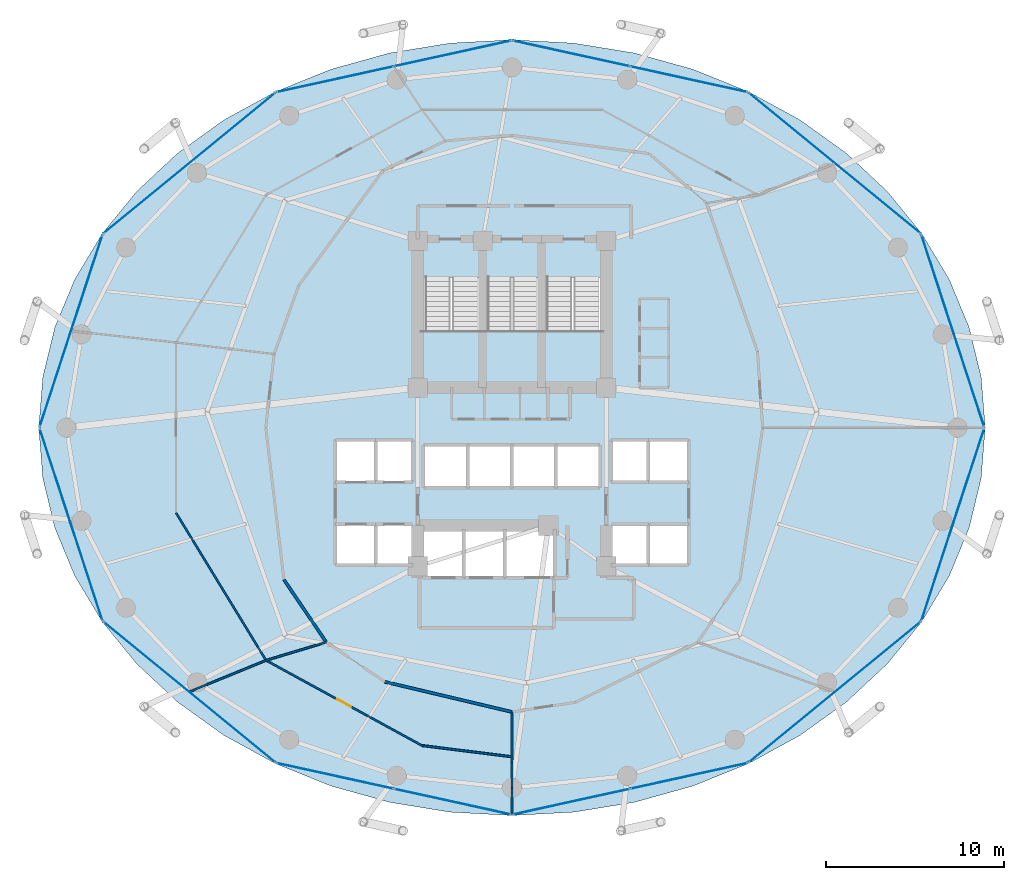
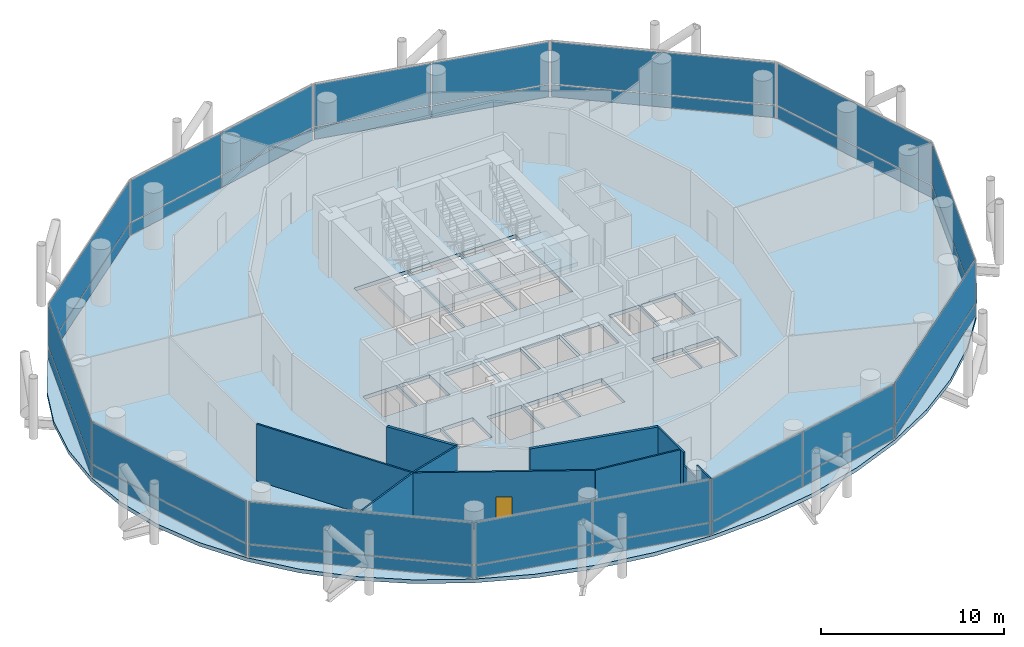
# One storey, part 20 of 25: 32 plates, 10 walls, 4 slabs, 1 door, 1 opening, 15 elements without a shape of their own.
"""IFC4 building model written with IfcOpenShell, lengths in metres."""

from ifc_helpers import new_model, si_unit, direction, frame, frame_2d, origin, origin_2d, place, context, subcontext, project, spatial, polyline, rectangle, outline, extrude, material, layer, layer_set, type_object, element, fill, aggregate, save


model = new_model("IFC4")

# Units and contexts
model_context = context("Model", 3, precision=1e-05, world=origin(), true_north=direction((0.0, 1.0)))
body_context = subcontext(model_context, "Body", "Model", "MODEL_VIEW")
ifc_project = project(units=[si_unit("LENGTHUNIT", "METRE"), si_unit("AREAUNIT", "SQUARE_METRE"), si_unit("VOLUMEUNIT", "CUBIC_METRE"), si_unit("PLANEANGLEUNIT", "RADIAN"), si_unit("MASSUNIT", "GRAM", prefix="KILO")], contexts=[model_context])

# Site, building, storey
site_placement = place(None, origin())
site = spatial("IfcSite", under=ifc_project, at=site_placement, CompositionType="ELEMENT")
building_placement = place(site_placement, origin())
building = spatial("IfcBuilding", under=site, at=building_placement, Name="Nuhasar Tower", CompositionType="ELEMENT")
storey_placement = place(building_placement, frame((0.0, 0.0, 65.550048828125)))
storey = spatial("IfcBuildingStorey", under=building, at=storey_placement, Name="L15", CompositionType="ELEMENT", Elevation=65.550048828125)

# Curtain wall, plate
ifc_material_1 = material(Name="Aluminium 6063-T6", Category="aluminium")
ifc_layer_1 = layer(ifc_material_1, 0.199951171875)
ifc_layer_set_1 = layer_set([ifc_layer_1], Name="Aluminium 6063-T6")
curtain_wall_type = type_object("IfcCurtainWallType", Name="CW-Z1-OFF", PredefinedType="NOTDEFINED", material=ifc_layer_set_1)
curtain_wall_1_placement = place(storey_placement, origin())
curtain_wall_1 = element("IfcCurtainWall", 1, at=curtain_wall_1_placement, inside=storey, type_object=curtain_wall_type, Name="L15 Unitised Curtain Wall 01", PredefinedType="NOTDEFINED")
ifc_material_2 = material(Name="Glass Double Low-E", Category="glass")
ifc_layer_2 = layer(ifc_material_2, 0.028076171875)
ifc_layer_set_2 = layer_set([ifc_layer_2], Name="Glass Double Low-E")
plate_type_1 = type_object("IfcPlateType", Name="CW-PANEL-GLZ", PredefinedType="CURTAIN_PANEL", material=ifc_layer_set_2)
plate_1_placement = place(storey_placement, frame((63.781005859375, 32.239990234375, 0.9326171875), z_axis=(0.0, 0.0, 1.0), x_axis=(-0.310823849997, 0.950467534571, 0.0)))
plate_1 = element("IfcPlate", 2, at=plate_1_placement, type_object=plate_type_1, Name="CW-Z1 panel 1.2", PredefinedType="CURTAIN_PANEL", context=body_context, shape_type="SweptSolid", body=[
    extrude(rectangle(XDim=11.31689453125, YDim=0.028076171875, at=origin_2d()), origin(), (0.0, 0.0, 1.0), 2.802490234375),
])

curtain_wall_2_placement = place(storey_placement, origin())
curtain_wall_2 = element("IfcCurtainWall", 3, at=curtain_wall_2_placement, inside=storey, type_object=curtain_wall_type, Name="L15 Unitised Curtain Wall 02", PredefinedType="NOTDEFINED")
plate_2_placement = place(storey_placement, frame((57.14111328125, 41.66259765625, 0.9326171875), z_axis=(0.0, 0.0, 1.0), x_axis=(-0.773542364946, 0.633744593376, 0.0)))
plate_2 = element("IfcPlate", 4, at=plate_2_placement, type_object=plate_type_1, Name="CW-Z1 panel 1.2", PredefinedType="CURTAIN_PANEL", context=body_context, shape_type="SweptSolid", body=[
    extrude(rectangle(XDim=12.438232421875, YDim=0.028076171875, at=origin_2d()), origin(), (0.0, 0.0, 1.0), 2.802490234375),
])

# Curtain wall, plates
curtain_wall_3_placement = place(storey_placement, origin())
curtain_wall_3 = element("IfcCurtainWall", 5, at=curtain_wall_3_placement, inside=storey, type_object=curtain_wall_type, Name="L15 Unitised Curtain Wall 03", PredefinedType="NOTDEFINED")
plate_3_placement = place(storey_placement, frame((48.944091796875, 46.377197265625, 0.9326171875), z_axis=(0.0, 0.0, 1.0), x_axis=(-0.976746221544, 0.214398737637, 0.0)))
plate_3 = element("IfcPlate", 6, at=plate_3_placement, type_object=plate_type_1, Name="CW-Z1 panel 1.2", PredefinedType="CURTAIN_PANEL", context=body_context, shape_type="SweptSolid", body=[
    extrude(rectangle(XDim=6.70068359375, YDim=0.028076171875, at=origin_2d()), origin(), (0.0, 0.0, 1.0), 2.802490234375),
])
plate_4_placement = place(storey_placement, frame((42.3359375, 47.827880859375, 0.9326171875), z_axis=(0.0, 0.0, 1.0), x_axis=(-0.976746221544, 0.214398737637, 0.0)))
plate_4 = element("IfcPlate", 7, at=plate_4_placement, type_object=plate_type_1, Name="CW-Z1 panel 2.2", PredefinedType="CURTAIN_PANEL", context=body_context, shape_type="SweptSolid", body=[
    extrude(rectangle(XDim=6.70068359375, YDim=0.028076171875, at=origin_2d()), origin(), (0.0, 0.0, 1.0), 2.802490234375),
])

curtain_wall_4_placement = place(storey_placement, origin())
curtain_wall_4 = element("IfcCurtainWall", 8, at=curtain_wall_4_placement, inside=storey, type_object=curtain_wall_type, Name="L15 Unitised Curtain Wall 04", PredefinedType="NOTDEFINED")
plate_5_placement = place(storey_placement, frame((35.6640625, 47.827880859375, 0.9326171875), z_axis=(0.0, 0.0, 1.0), x_axis=(-0.976746221544, -0.214398737637, 0.0)))
plate_5 = element("IfcPlate", 9, at=plate_5_placement, type_object=plate_type_1, Name="CW-Z1 panel 1.2", PredefinedType="CURTAIN_PANEL", context=body_context, shape_type="SweptSolid", body=[
    extrude(rectangle(XDim=6.70068359375, YDim=0.028076171875, at=origin_2d()), origin(), (0.0, 0.0, 1.0), 2.802490234375),
])
plate_6_placement = place(storey_placement, frame((29.055908203125, 46.377197265625, 0.9326171875), z_axis=(0.0, 0.0, 1.0), x_axis=(-0.976746221544, -0.214398737637, 0.0)))
plate_6 = element("IfcPlate", 10, at=plate_6_placement, type_object=plate_type_1, Name="CW-Z1 panel 2.2", PredefinedType="CURTAIN_PANEL", context=body_context, shape_type="SweptSolid", body=[
    extrude(rectangle(XDim=6.70068359375, YDim=0.028076171875, at=origin_2d()), origin(), (0.0, 0.0, 1.0), 2.802490234375),
])

# Curtain wall, plate
curtain_wall_5_placement = place(storey_placement, origin())
curtain_wall_5 = element("IfcCurtainWall", 11, at=curtain_wall_5_placement, inside=storey, type_object=curtain_wall_type, Name="L15 Unitised Curtain Wall 05", PredefinedType="NOTDEFINED")
plate_7_placement = place(storey_placement, frame((20.85888671875, 41.66259765625, 0.9326171875), z_axis=(0.0, 0.0, 1.0), x_axis=(-0.773542364946, -0.633744593376, 0.0)))
plate_7 = element("IfcPlate", 12, at=plate_7_placement, type_object=plate_type_1, Name="CW-Z1 panel 1.2", PredefinedType="CURTAIN_PANEL", context=body_context, shape_type="SweptSolid", body=[
    extrude(rectangle(XDim=12.438232421875, YDim=0.028076171875, at=origin_2d()), origin(), (0.0, 0.0, 1.0), 2.802490234375),
])

curtain_wall_6_placement = place(storey_placement, origin())
curtain_wall_6 = element("IfcCurtainWall", 13, at=curtain_wall_6_placement, inside=storey, type_object=curtain_wall_type, Name="L15 Unitised Curtain Wall 06", PredefinedType="NOTDEFINED")
plate_8_placement = place(storey_placement, frame((14.218994140625, 32.239990234375, 0.9326171875), z_axis=(0.0, 0.0, 1.0), x_axis=(-0.310823849997, -0.950467534571, 0.0)))
plate_8 = element("IfcPlate", 14, at=plate_8_placement, type_object=plate_type_1, Name="CW-Z1 panel 1.2", PredefinedType="CURTAIN_PANEL", context=body_context, shape_type="SweptSolid", body=[
    extrude(rectangle(XDim=11.31689453125, YDim=0.028076171875, at=origin_2d()), origin(), (0.0, 0.0, 1.0), 2.802490234375),
])

curtain_wall_7_placement = place(storey_placement, origin())
curtain_wall_7 = element("IfcCurtainWall", 15, at=curtain_wall_7_placement, inside=storey, type_object=curtain_wall_type, Name="L15 Unitised Curtain Wall 07", PredefinedType="NOTDEFINED")
plate_9_placement = place(storey_placement, frame((14.218994140625, 21.360107421875, 0.9326171875), z_axis=(0.0, 0.0, 1.0), x_axis=(0.310823849997, -0.950467534571, 0.0)))
plate_9 = element("IfcPlate", 16, at=plate_9_placement, type_object=plate_type_1, Name="CW-Z1 panel 1.2", PredefinedType="CURTAIN_PANEL", context=body_context, shape_type="SweptSolid", body=[
    extrude(rectangle(XDim=11.31689453125, YDim=0.028076171875, at=origin_2d()), origin(), (0.0, 0.0, 1.0), 2.802490234375),
])

curtain_wall_8_placement = place(storey_placement, origin())
curtain_wall_8 = element("IfcCurtainWall", 17, at=curtain_wall_8_placement, inside=storey, type_object=curtain_wall_type, Name="L15 Unitised Curtain Wall 08", PredefinedType="NOTDEFINED")
plate_10_placement = place(storey_placement, frame((20.85888671875, 11.9375, 0.9326171875), z_axis=(0.0, 0.0, 1.0), x_axis=(0.773542364946, -0.633744593376, 0.0)))
plate_10 = element("IfcPlate", 18, at=plate_10_placement, type_object=plate_type_1, Name="CW-Z1 panel 1.2", PredefinedType="CURTAIN_PANEL", context=body_context, shape_type="SweptSolid", body=[
    extrude(rectangle(XDim=12.438232421875, YDim=0.028076171875, at=origin_2d()), origin(), (0.0, 0.0, 1.0), 2.802490234375),
])

# Curtain wall, plates
curtain_wall_9_placement = place(storey_placement, origin())
curtain_wall_9 = element("IfcCurtainWall", 19, at=curtain_wall_9_placement, inside=storey, type_object=curtain_wall_type, Name="L15 Unitised Curtain Wall 09", PredefinedType="NOTDEFINED")
plate_11_placement = place(storey_placement, frame((29.055908203125, 7.22265625, 0.9326171875), z_axis=(0.0, 0.0, 1.0), x_axis=(0.976746221544, -0.214398737637, 0.0)))
plate_11 = element("IfcPlate", 20, at=plate_11_placement, type_object=plate_type_1, Name="CW-Z1 panel 1.2", PredefinedType="CURTAIN_PANEL", context=body_context, shape_type="SweptSolid", body=[
    extrude(rectangle(XDim=6.70068359375, YDim=0.028076171875, at=origin_2d()), origin(), (0.0, 0.0, 1.0), 2.802490234375),
])
plate_12_placement = place(storey_placement, frame((35.6640625, 5.772216796875, 0.9326171875), z_axis=(0.0, 0.0, 1.0), x_axis=(0.976746221544, -0.214398737637, 0.0)))
plate_12 = element("IfcPlate", 21, at=plate_12_placement, type_object=plate_type_1, Name="CW-Z1 panel 2.2", PredefinedType="CURTAIN_PANEL", context=body_context, shape_type="SweptSolid", body=[
    extrude(rectangle(XDim=6.70068359375, YDim=0.028076171875, at=origin_2d()), origin(), (0.0, 0.0, 1.0), 2.802490234375),
])

curtain_wall_10_placement = place(storey_placement, origin())
curtain_wall_10 = element("IfcCurtainWall", 22, at=curtain_wall_10_placement, inside=storey, type_object=curtain_wall_type, Name="L15 Unitised Curtain Wall 10", PredefinedType="NOTDEFINED")
plate_13_placement = place(storey_placement, frame((42.3359375, 5.772216796875, 0.9326171875), z_axis=(0.0, 0.0, 1.0), x_axis=(0.976746221544, 0.214398737637, 0.0)))
plate_13 = element("IfcPlate", 23, at=plate_13_placement, type_object=plate_type_1, Name="CW-Z1 panel 1.2", PredefinedType="CURTAIN_PANEL", context=body_context, shape_type="SweptSolid", body=[
    extrude(rectangle(XDim=6.70068359375, YDim=0.028076171875, at=origin_2d()), origin(), (0.0, 0.0, 1.0), 2.802490234375),
])
plate_14_placement = place(storey_placement, frame((48.944091796875, 7.22265625, 0.9326171875), z_axis=(0.0, 0.0, 1.0), x_axis=(0.976746221544, 0.214398737637, 0.0)))
plate_14 = element("IfcPlate", 24, at=plate_14_placement, type_object=plate_type_1, Name="CW-Z1 panel 2.2", PredefinedType="CURTAIN_PANEL", context=body_context, shape_type="SweptSolid", body=[
    extrude(rectangle(XDim=6.70068359375, YDim=0.028076171875, at=origin_2d()), origin(), (0.0, 0.0, 1.0), 2.802490234375),
])

# Curtain wall, plate
curtain_wall_11_placement = place(storey_placement, origin())
curtain_wall_11 = element("IfcCurtainWall", 25, at=curtain_wall_11_placement, inside=storey, type_object=curtain_wall_type, Name="L15 Unitised Curtain Wall 11", PredefinedType="NOTDEFINED")
plate_15_placement = place(storey_placement, frame((57.14111328125, 11.9375, 0.9326171875), z_axis=(0.0, 0.0, 1.0), x_axis=(0.773542364946, 0.633744593376, 0.0)))
plate_15 = element("IfcPlate", 26, at=plate_15_placement, type_object=plate_type_1, Name="CW-Z1 panel 1.2", PredefinedType="CURTAIN_PANEL", context=body_context, shape_type="SweptSolid", body=[
    extrude(rectangle(XDim=12.438232421875, YDim=0.028076171875, at=origin_2d()), origin(), (0.0, 0.0, 1.0), 2.802490234375),
])

curtain_wall_12_placement = place(storey_placement, origin())
curtain_wall_12 = element("IfcCurtainWall", 27, at=curtain_wall_12_placement, inside=storey, type_object=curtain_wall_type, Name="L15 Unitised Curtain Wall 12", PredefinedType="NOTDEFINED")
plate_16_placement = place(storey_placement, frame((63.781005859375, 21.360107421875, 0.9326171875), z_axis=(0.0, 0.0, 1.0), x_axis=(0.310823849997, 0.950467534571, 0.0)))
plate_16 = element("IfcPlate", 28, at=plate_16_placement, type_object=plate_type_1, Name="CW-Z1 panel 1.2", PredefinedType="CURTAIN_PANEL", context=body_context, shape_type="SweptSolid", body=[
    extrude(rectangle(XDim=11.31689453125, YDim=0.028076171875, at=origin_2d()), origin(), (0.0, 0.0, 1.0), 2.802490234375),
])

# Plate
ifc_material_3 = material(Name="Glass Spandrel", Category="glass")
ifc_layer_3 = layer(ifc_material_3, 0.035888671875)
ifc_layer_set_3 = layer_set([ifc_layer_3], Name="Glass Spandrel")
plate_type_2 = type_object("IfcPlateType", Name="CW-PANEL-SPN", PredefinedType="CURTAIN_PANEL", material=ifc_layer_set_3)
plate_17_placement = place(storey_placement, frame((63.781005859375, 32.239990234375, 0.06494140625), z_axis=(0.0, 0.0, 1.0), x_axis=(-0.310823849997, 0.950467534571, 0.0)))
plate_17 = element("IfcPlate", 29, at=plate_17_placement, type_object=plate_type_2, Name="CW-Z1 panel 1.1", PredefinedType="CURTAIN_PANEL", context=body_context, shape_type="SweptSolid", body=[
    extrude(rectangle(XDim=11.31689453125, YDim=0.035888671875, at=origin_2d()), origin(), (0.0, 0.0, 1.0), 0.802490234375),
])

aggregate(curtain_wall_1, [plate_17, plate_1])

plate_18_placement = place(storey_placement, frame((57.14111328125, 41.66259765625, 0.06494140625), z_axis=(0.0, 0.0, 1.0), x_axis=(-0.773542364946, 0.633744593376, 0.0)))
plate_18 = element("IfcPlate", 30, at=plate_18_placement, type_object=plate_type_2, Name="CW-Z1 panel 1.1", PredefinedType="CURTAIN_PANEL", context=body_context, shape_type="SweptSolid", body=[
    extrude(rectangle(XDim=12.438232421875, YDim=0.035888671875, at=origin_2d()), origin(), (0.0, 0.0, 1.0), 0.802490234375),
])

aggregate(curtain_wall_2, [plate_18, plate_2])

plate_19_placement = place(storey_placement, frame((48.944091796875, 46.377197265625, 0.06494140625), z_axis=(0.0, 0.0, 1.0), x_axis=(-0.976746221544, 0.214398737637, 0.0)))
plate_19 = element("IfcPlate", 31, at=plate_19_placement, type_object=plate_type_2, Name="CW-Z1 panel 1.1", PredefinedType="CURTAIN_PANEL", context=body_context, shape_type="SweptSolid", body=[
    extrude(rectangle(XDim=6.70068359375, YDim=0.035888671875, at=origin_2d()), origin(), (0.0, 0.0, 1.0), 0.802490234375),
])

plate_20_placement = place(storey_placement, frame((42.3359375, 47.827880859375, 0.06494140625), z_axis=(0.0, 0.0, 1.0), x_axis=(-0.976746221544, 0.214398737637, 0.0)))
plate_20 = element("IfcPlate", 32, at=plate_20_placement, type_object=plate_type_2, Name="CW-Z1 panel 2.1", PredefinedType="CURTAIN_PANEL", context=body_context, shape_type="SweptSolid", body=[
    extrude(rectangle(XDim=6.70068359375, YDim=0.035888671875, at=origin_2d()), origin(), (0.0, 0.0, 1.0), 0.802490234375),
])

aggregate(curtain_wall_3, [plate_19, plate_3, plate_20, plate_4])

plate_21_placement = place(storey_placement, frame((35.6640625, 47.827880859375, 0.06494140625), z_axis=(0.0, 0.0, 1.0), x_axis=(-0.976746221544, -0.214398737637, 0.0)))
plate_21 = element("IfcPlate", 33, at=plate_21_placement, type_object=plate_type_2, Name="CW-Z1 panel 1.1", PredefinedType="CURTAIN_PANEL", context=body_context, shape_type="SweptSolid", body=[
    extrude(rectangle(XDim=6.70068359375, YDim=0.035888671875, at=origin_2d()), origin(), (0.0, 0.0, 1.0), 0.802490234375),
])

plate_22_placement = place(storey_placement, frame((29.055908203125, 46.377197265625, 0.06494140625), z_axis=(0.0, 0.0, 1.0), x_axis=(-0.976746221544, -0.214398737637, 0.0)))
plate_22 = element("IfcPlate", 34, at=plate_22_placement, type_object=plate_type_2, Name="CW-Z1 panel 2.1", PredefinedType="CURTAIN_PANEL", context=body_context, shape_type="SweptSolid", body=[
    extrude(rectangle(XDim=6.70068359375, YDim=0.035888671875, at=origin_2d()), origin(), (0.0, 0.0, 1.0), 0.802490234375),
])

aggregate(curtain_wall_4, [plate_21, plate_5, plate_22, plate_6])

plate_23_placement = place(storey_placement, frame((20.85888671875, 41.66259765625, 0.06494140625), z_axis=(0.0, 0.0, 1.0), x_axis=(-0.773542364946, -0.633744593376, 0.0)))
plate_23 = element("IfcPlate", 35, at=plate_23_placement, type_object=plate_type_2, Name="CW-Z1 panel 1.1", PredefinedType="CURTAIN_PANEL", context=body_context, shape_type="SweptSolid", body=[
    extrude(rectangle(XDim=12.438232421875, YDim=0.035888671875, at=origin_2d()), origin(), (0.0, 0.0, 1.0), 0.802490234375),
])

aggregate(curtain_wall_5, [plate_23, plate_7])

plate_24_placement = place(storey_placement, frame((14.218994140625, 32.239990234375, 0.06494140625), z_axis=(0.0, 0.0, 1.0), x_axis=(-0.310823849997, -0.950467534571, 0.0)))
plate_24 = element("IfcPlate", 36, at=plate_24_placement, type_object=plate_type_2, Name="CW-Z1 panel 1.1", PredefinedType="CURTAIN_PANEL", context=body_context, shape_type="SweptSolid", body=[
    extrude(rectangle(XDim=11.31689453125, YDim=0.035888671875, at=origin_2d()), origin(), (0.0, 0.0, 1.0), 0.802490234375),
])

aggregate(curtain_wall_6, [plate_24, plate_8])

plate_25_placement = place(storey_placement, frame((14.218994140625, 21.360107421875, 0.06494140625), z_axis=(0.0, 0.0, 1.0), x_axis=(0.310823849997, -0.950467534571, 0.0)))
plate_25 = element("IfcPlate", 37, at=plate_25_placement, type_object=plate_type_2, Name="CW-Z1 panel 1.1", PredefinedType="CURTAIN_PANEL", context=body_context, shape_type="SweptSolid", body=[
    extrude(rectangle(XDim=11.31689453125, YDim=0.035888671875, at=origin_2d()), origin(), (0.0, 0.0, 1.0), 0.802490234375),
])

aggregate(curtain_wall_7, [plate_25, plate_9])

plate_26_placement = place(storey_placement, frame((20.85888671875, 11.9375, 0.06494140625), z_axis=(0.0, 0.0, 1.0), x_axis=(0.773542364946, -0.633744593376, 0.0)))
plate_26 = element("IfcPlate", 38, at=plate_26_placement, type_object=plate_type_2, Name="CW-Z1 panel 1.1", PredefinedType="CURTAIN_PANEL", context=body_context, shape_type="SweptSolid", body=[
    extrude(rectangle(XDim=12.438232421875, YDim=0.035888671875, at=origin_2d()), origin(), (0.0, 0.0, 1.0), 0.802490234375),
])

aggregate(curtain_wall_8, [plate_26, plate_10])

plate_27_placement = place(storey_placement, frame((29.055908203125, 7.22265625, 0.06494140625), z_axis=(0.0, 0.0, 1.0), x_axis=(0.976746221544, -0.214398737637, 0.0)))
plate_27 = element("IfcPlate", 39, at=plate_27_placement, type_object=plate_type_2, Name="CW-Z1 panel 1.1", PredefinedType="CURTAIN_PANEL", context=body_context, shape_type="SweptSolid", body=[
    extrude(rectangle(XDim=6.70068359375, YDim=0.035888671875, at=origin_2d()), origin(), (0.0, 0.0, 1.0), 0.802490234375),
])

plate_28_placement = place(storey_placement, frame((35.6640625, 5.772216796875, 0.06494140625), z_axis=(0.0, 0.0, 1.0), x_axis=(0.976746221544, -0.214398737637, 0.0)))
plate_28 = element("IfcPlate", 40, at=plate_28_placement, type_object=plate_type_2, Name="CW-Z1 panel 2.1", PredefinedType="CURTAIN_PANEL", context=body_context, shape_type="SweptSolid", body=[
    extrude(rectangle(XDim=6.70068359375, YDim=0.035888671875, at=origin_2d()), origin(), (0.0, 0.0, 1.0), 0.802490234375),
])

aggregate(curtain_wall_9, [plate_27, plate_11, plate_28, plate_12])

plate_29_placement = place(storey_placement, frame((42.3359375, 5.772216796875, 0.06494140625), z_axis=(0.0, 0.0, 1.0), x_axis=(0.976746221544, 0.214398737637, 0.0)))
plate_29 = element("IfcPlate", 41, at=plate_29_placement, type_object=plate_type_2, Name="CW-Z1 panel 1.1", PredefinedType="CURTAIN_PANEL", context=body_context, shape_type="SweptSolid", body=[
    extrude(rectangle(XDim=6.70068359375, YDim=0.035888671875, at=origin_2d()), origin(), (0.0, 0.0, 1.0), 0.802490234375),
])

plate_30_placement = place(storey_placement, frame((48.944091796875, 7.22265625, 0.06494140625), z_axis=(0.0, 0.0, 1.0), x_axis=(0.976746221544, 0.214398737637, 0.0)))
plate_30 = element("IfcPlate", 42, at=plate_30_placement, type_object=plate_type_2, Name="CW-Z1 panel 2.1", PredefinedType="CURTAIN_PANEL", context=body_context, shape_type="SweptSolid", body=[
    extrude(rectangle(XDim=6.70068359375, YDim=0.035888671875, at=origin_2d()), origin(), (0.0, 0.0, 1.0), 0.802490234375),
])

aggregate(curtain_wall_10, [plate_29, plate_13, plate_30, plate_14])

plate_31_placement = place(storey_placement, frame((57.14111328125, 11.9375, 0.06494140625), z_axis=(0.0, 0.0, 1.0), x_axis=(0.773542364946, 0.633744593376, 0.0)))
plate_31 = element("IfcPlate", 43, at=plate_31_placement, type_object=plate_type_2, Name="CW-Z1 panel 1.1", PredefinedType="CURTAIN_PANEL", context=body_context, shape_type="SweptSolid", body=[
    extrude(rectangle(XDim=12.438232421875, YDim=0.035888671875, at=origin_2d()), origin(), (0.0, 0.0, 1.0), 0.802490234375),
])

aggregate(curtain_wall_11, [plate_31, plate_15])

plate_32_placement = place(storey_placement, frame((63.781005859375, 21.360107421875, 0.06494140625), z_axis=(0.0, 0.0, 1.0), x_axis=(0.310823849997, 0.950467534571, 0.0)))
plate_32 = element("IfcPlate", 44, at=plate_32_placement, type_object=plate_type_2, Name="CW-Z1 panel 1.1", PredefinedType="CURTAIN_PANEL", context=body_context, shape_type="SweptSolid", body=[
    extrude(rectangle(XDim=11.31689453125, YDim=0.035888671875, at=origin_2d()), origin(), (0.0, 0.0, 1.0), 0.802490234375),
])

aggregate(curtain_wall_12, [plate_32, plate_16])

# Stair, slab
ifc_material_4 = material(Name="Concrete C45/55", Category="concrete")
stair_type_1 = type_object("IfcStairType", Name="STR-ST-01-2F-24R-1688", PredefinedType="HALF_TURN_STAIR", material=ifc_material_4)
stair_1_placement = place(storey_placement, origin())
stair_1 = element("IfcStair", 45, at=stair_1_placement, inside=storey, type_object=stair_type_1, Name="L15 Exit Stair ST-01", PredefinedType="HALF_TURN_STAIR")
ifc_layer_4 = layer(ifc_material_4, 0.239990234375)
ifc_layer_set_4 = layer_set([ifc_layer_4], Name="Concrete C45/55")
slab_type_1 = type_object("IfcSlabType", Name="SLB-STAIR-LND-240", PredefinedType="LANDING", material=ifc_layer_set_4)
slab_1_placement = place(storey_placement, frame((0.0, 0.0, 1.784912109375)))
slab_1 = element("IfcSlab", 46, at=slab_1_placement, type_object=slab_type_1, Name="ST-01 landing 1", PredefinedType="LANDING", context=body_context, shape_type="SweptSolid", body=[
    extrude(outline(polyline([(33.699951171875, 28.75), (37.35009765625, 28.75), (37.35009765625, 32.239990234375), (33.699951171875, 32.239990234375), (33.699951171875, 28.75)])), origin(), (0.0, 0.0, 1.0), 0.239990234375),
])
aggregate(stair_1, [slab_1])

stair_type_2 = type_object("IfcStairType", Name="STR-ST-03-2F-24R-1688", PredefinedType="HALF_TURN_STAIR", material=ifc_material_4)
stair_2_placement = place(storey_placement, origin())
stair_2 = element("IfcStair", 47, at=stair_2_placement, inside=storey, type_object=stair_type_2, Name="L15 Exit Stair ST-03", PredefinedType="HALF_TURN_STAIR")
slab_2_placement = place(storey_placement, frame((0.0, 0.0, 1.784912109375)))
slab_2 = element("IfcSlab", 48, at=slab_2_placement, type_object=slab_type_1, Name="ST-03 landing 1", PredefinedType="LANDING", context=body_context, shape_type="SweptSolid", body=[
    extrude(outline(polyline([(37.35009765625, 28.75), (40.64990234375, 28.75), (40.64990234375, 32.239990234375), (37.35009765625, 32.239990234375), (37.35009765625, 28.75)])), origin(), (0.0, 0.0, 1.0), 0.239990234375),
])
aggregate(stair_2, [slab_2])

stair_type_3 = type_object("IfcStairType", Name="STR-ST-02-2F-24R-1688", PredefinedType="HALF_TURN_STAIR", material=ifc_material_4)
stair_3_placement = place(storey_placement, origin())
stair_3 = element("IfcStair", 49, at=stair_3_placement, inside=storey, type_object=stair_type_3, Name="L15 Exit Stair ST-02", PredefinedType="HALF_TURN_STAIR")
slab_3_placement = place(storey_placement, frame((0.0, 0.0, 1.784912109375)))
slab_3 = element("IfcSlab", 50, at=slab_3_placement, type_object=slab_type_1, Name="ST-02 landing 1", PredefinedType="LANDING", context=body_context, shape_type="SweptSolid", body=[
    extrude(outline(polyline([(40.64990234375, 28.75), (44.300048828125, 28.75), (44.300048828125, 32.239990234375), (40.64990234375, 32.239990234375), (40.64990234375, 28.75)])), origin(), (0.0, 0.0, 1.0), 0.239990234375),
])
aggregate(stair_3, [slab_3])

# Slab
ifc_layer_5 = layer(ifc_material_4, 0.25)
ifc_layer_set_5 = layer_set([ifc_layer_5], Name="Concrete C45/55")
slab_type_2 = type_object("IfcSlabType", Name="SLB-Z1B-250", PredefinedType="FLOOR", material=ifc_layer_set_5)
slab_4_placement = place(storey_placement, frame((0.0, 0.0, -0.25)))
element("IfcSlab", 51, at=slab_4_placement, inside=storey, type_object=slab_type_2, Name="L15 Structural Slab", PredefinedType="FLOOR", context=body_context, shape_type="SweptSolid", body=[
    extrude(outline(polyline([(65.60009765625, 26.800048828125), (65.3720703125, 29.64501953125), (64.694091796875, 32.44189453125), (63.574951171875, 35.14208984375), (62.035888671875, 37.699951171875), (60.10302734375, 40.071044921875), (57.80908203125, 42.215087890625), (55.193115234375, 44.094970703125), (52.300048828125, 45.678955078125), (49.178955078125, 46.94091796875), (45.885009765625, 47.85693359375), (42.471923828125, 48.4130859375), (39.0, 48.60009765625), (35.528076171875, 48.4130859375), (32.114990234375, 47.85693359375), (28.821044921875, 46.94091796875), (25.699951171875, 45.678955078125), (22.806884765625, 44.094970703125), (20.19091796875, 42.215087890625), (17.89697265625, 40.071044921875), (15.964111328125, 37.699951171875), (14.425048828125, 35.14208984375), (13.305908203125, 32.44189453125), (12.6279296875, 29.64501953125), (12.39990234375, 26.800048828125), (12.6279296875, 23.955078125), (13.305908203125, 21.157958984375), (14.425048828125, 18.4580078125), (15.964111328125, 15.89990234375), (17.89697265625, 13.529052734375), (20.19091796875, 11.385009765625), (22.806884765625, 9.5048828125), (25.699951171875, 7.9208984375), (28.821044921875, 6.658935546875), (32.114990234375, 5.742919921875), (35.528076171875, 5.18701171875), (39.0, 5.0), (42.471923828125, 5.18701171875), (45.885009765625, 5.742919921875), (49.178955078125, 6.658935546875), (52.300048828125, 7.9208984375), (55.193115234375, 9.5048828125), (57.80908203125, 11.385009765625), (60.10302734375, 13.529052734375), (62.035888671875, 15.89990234375), (63.574951171875, 18.4580078125), (64.694091796875, 21.157958984375), (65.3720703125, 23.955078125), (65.60009765625, 26.800048828125)]), holes=[polyline([(33.8798828125, 35.25), (37.300048828125, 35.25), (37.300048828125, 29.0), (33.8798828125, 29.0), (33.8798828125, 35.25)]), polyline([(37.39990234375, 35.25), (40.60009765625, 35.25), (40.60009765625, 29.0), (37.39990234375, 29.0), (37.39990234375, 35.25)]), polyline([(40.699951171875, 35.25), (44.1201171875, 35.25), (44.1201171875, 29.0), (40.699951171875, 29.0), (40.699951171875, 35.25)]), polyline([(29.14990234375, 26.050048828125), (31.300048828125, 26.050048828125), (31.300048828125, 23.800048828125), (29.14990234375, 23.800048828125), (29.14990234375, 26.050048828125)]), polyline([(31.39990234375, 26.050048828125), (33.35009765625, 26.050048828125), (33.35009765625, 23.800048828125), (31.39990234375, 23.800048828125), (31.39990234375, 26.050048828125)]), polyline([(29.14990234375, 21.300048828125), (31.300048828125, 21.300048828125), (31.300048828125, 19.14990234375), (29.14990234375, 19.14990234375), (29.14990234375, 21.300048828125)]), polyline([(31.39990234375, 21.300048828125), (33.35009765625, 21.300048828125), (33.35009765625, 19.14990234375), (31.39990234375, 19.14990234375), (31.39990234375, 21.300048828125)]), polyline([(44.64990234375, 26.050048828125), (46.60009765625, 26.050048828125), (46.60009765625, 23.800048828125), (44.64990234375, 23.800048828125), (44.64990234375, 26.050048828125)]), polyline([(46.699951171875, 26.050048828125), (48.85009765625, 26.050048828125), (48.85009765625, 23.800048828125), (46.699951171875, 23.800048828125), (46.699951171875, 26.050048828125)]), polyline([(44.64990234375, 21.300048828125), (46.60009765625, 21.300048828125), (46.60009765625, 19.14990234375), (44.64990234375, 19.14990234375), (44.64990234375, 21.300048828125)]), polyline([(46.699951171875, 21.300048828125), (48.85009765625, 21.300048828125), (48.85009765625, 19.14990234375), (46.699951171875, 19.14990234375), (46.699951171875, 21.300048828125)]), polyline([(34.10009765625, 25.75), (36.43994140625, 25.75), (36.43994140625, 23.5), (34.10009765625, 23.5), (34.10009765625, 25.75)]), polyline([(36.580078125, 25.75), (38.919921875, 25.75), (38.919921875, 23.5), (36.580078125, 23.5), (36.580078125, 25.75)]), polyline([(39.06005859375, 25.75), (41.39990234375, 25.75), (41.39990234375, 23.5), (39.06005859375, 23.5), (39.06005859375, 25.75)]), polyline([(41.5400390625, 25.75), (43.8798828125, 25.75), (43.8798828125, 23.5), (41.5400390625, 23.5), (41.5400390625, 25.75)]), polyline([(34.050048828125, 21.0), (36.25, 21.0), (36.25, 18.449951171875), (34.050048828125, 18.449951171875), (34.050048828125, 21.0)]), polyline([(36.35009765625, 21.0), (38.550048828125, 21.0), (38.550048828125, 18.449951171875), (36.35009765625, 18.449951171875), (36.35009765625, 21.0)]), polyline([(38.64990234375, 21.0), (41.320068359375, 21.0), (41.320068359375, 18.449951171875), (38.64990234375, 18.449951171875), (38.64990234375, 21.0)])]), origin(), (0.0, 0.0, 1.0), 0.25),
])

# Walls
ifc_material_5 = material(Name="Gypsum Board", Category="gypsum")
ifc_layer_6 = layer(ifc_material_5, 0.159912109375)
ifc_layer_set_6 = layer_set([ifc_layer_6], Name="Gypsum Board")
wall_type_1 = type_object("IfcWallType", Name="WL-CORR-160", PredefinedType="PARTITIONING", material=ifc_layer_set_6)
wall_1_placement = place(storey_placement, frame((26.181884765625, 18.2548828125, 0.0), z_axis=(0.0, 0.0, 1.0), x_axis=(0.560652063277, -0.828051486288, 0.0)))
element("IfcWall", 52, at=wall_1_placement, inside=storey, type_object=wall_type_1, Name="L15 Interior Partition CORR-28", PredefinedType="PARTITIONING", context=body_context, shape_type="SweptSolid", body=[
    extrude(rectangle(XDim=4.239990234375, YDim=0.159912109375, at=frame_2d((2.1201171875, 0.0))), origin(), (0.0, 0.0, 1.0), 3.800048828125),
])
wall_2_placement = place(storey_placement, frame((31.85595703125, 12.513916015625, 0.0), z_axis=(0.0, 0.0, 1.0), x_axis=(0.973024133383, -0.230703350332, 0.0)))
element("IfcWall", 53, at=wall_2_placement, inside=storey, type_object=wall_type_1, Name="L15 Interior Partition CORR-32", PredefinedType="PARTITIONING", context=body_context, shape_type="SweptSolid", body=[
    extrude(rectangle(XDim=7.342041015625, YDim=0.159912109375, at=frame_2d((3.6708984375, 0.0))), origin(), (0.0, 0.0, 1.0), 3.800048828125),
])
ifc_layer_7 = layer(ifc_material_1, 0.10009765625)
ifc_layer_set_7 = layer_set([ifc_layer_7], Name="Aluminium 6063-T6")
wall_type_2 = type_object("IfcWallType", Name="WL-MOVABLE-100", PredefinedType="MOVABLE", material=ifc_layer_set_7)
wall_3_placement = place(storey_placement, frame((20.115966796875, 22.011962890625, 0.0), z_axis=(0.0, 0.0, 1.0), x_axis=(0.520904998728, -0.853614656798, 0.0)))
element("IfcWall", 54, at=wall_3_placement, inside=storey, type_object=wall_type_2, Name="L15 Interior Partition OMID-04-26", PredefinedType="MOVABLE", context=body_context, shape_type="SweptSolid", body=[
    extrude(rectangle(XDim=9.7138671875, YDim=0.10009765625, at=frame_2d((4.85693359375, 0.0))), origin(), (0.0, 0.0, 1.0), 3.800048828125),
])
wall_4_placement = place(storey_placement, frame((28.55908203125, 14.743896484375, 0.0), z_axis=(0.0, 0.0, 1.0), x_axis=(-0.957121944774, -0.289685316907, 0.0)))
element("IfcWall", 55, at=wall_4_placement, inside=storey, type_object=wall_type_2, Name="L15 Interior Partition ORAD-30-S1", PredefinedType="MOVABLE", context=body_context, shape_type="SweptSolid", body=[
    extrude(rectangle(XDim=3.53466796875, YDim=0.10009765625, at=frame_2d((1.767333984375, 0.0))), origin(), (0.0, 0.0, 1.0), 3.800048828125),
])
wall_5_placement = place(storey_placement, frame((25.176025390625, 13.719970703125, 0.0), z_axis=(0.0, 0.0, 1.0), x_axis=(-0.925407732675, -0.378972991526, 0.0)))
element("IfcWall", 56, at=wall_5_placement, inside=storey, type_object=wall_type_2, Name="L15 Interior Partition ORAD-30-S2", PredefinedType="MOVABLE", context=body_context, shape_type="SweptSolid", body=[
    extrude(rectangle(XDim=4.638916015625, YDim=0.10009765625, at=frame_2d((2.3193359375, 0.0))), origin(), (0.0, 0.0, 1.0), 3.800048828125),
])

# Wall, opening, door
wall_6_placement = place(storey_placement, frame((33.93994140625, 8.931884765625, 0.0), z_axis=(0.0, 0.0, 1.0), x_axis=(-0.877568372218, 0.479451511712, 0.0)))
wall_6 = element("IfcWall", 57, at=wall_6_placement, inside=storey, type_object=wall_type_2, Name="L15 Interior Partition OMID-05-30", PredefinedType="MOVABLE", context=body_context, shape_type="SweptSolid", body=[
    extrude(rectangle(XDim=9.986572265625, YDim=0.10009765625, at=frame_2d((4.9931640625, 0.0))), origin(), (0.0, 0.0, 1.0), 3.800048828125),
])
opening_placement = place(wall_6_placement, frame((4.54296875, 0.0, 0.0)))
opening = element("IfcOpeningElement", 58, at=opening_placement, cuts=wall_6, Name="Opening DR-01", PredefinedType="OPENING", context=body_context, shape_type="SweptSolid", body=[
    extrude(rectangle(XDim=0.89990234375, YDim=2.10009765625, at=frame_2d((0.449951171875, 1.050048828125))), frame((0.0, 0.06005859375, 0.0), z_axis=(0.0, -1.0, 0.0), x_axis=(1.0, 0.0, 0.0)), (0.0, 0.0, 1.0), 0.1201171875),
])
ifc_material_6 = material(Name="Timber Oak", Category="wood")
door_type = type_object("IfcDoorType", Name="DR-ROOM-900", OperationType="NOTDEFINED", PredefinedType="DOOR", material=ifc_material_6)
door_placement = place(opening_placement, origin())
door = element("IfcDoor", 59, at=door_placement, inside=storey, type_object=door_type, Name="L15 Econometrics Research Office Inner Door", OperationType="SINGLE_SWING_LEFT", OverallHeight=2.10009765625, OverallWidth=0.89990234375, PredefinedType="DOOR", context=body_context, shape_type="SweptSolid", body=[
    extrude(rectangle(XDim=0.89990234375, YDim=2.10009765625, at=frame_2d((0.449951171875, 1.050048828125))), frame((0.0, 0.02490234375, 0.0), z_axis=(0.0, -1.0, 0.0), x_axis=(1.0, 0.0, 0.0)), (0.0, 0.0, 1.0), 0.050048828125),
])
fill(opening, door)

# Walls
wall_7_placement = place(storey_placement, frame((33.93994140625, 8.931884765625, 0.0), z_axis=(0.0, 0.0, 1.0), x_axis=(0.992341094961, -0.123527937132, 0.0)))
element("IfcWall", 60, at=wall_7_placement, inside=storey, type_object=wall_type_2, Name="L15 Interior Partition OMID-05-34", PredefinedType="MOVABLE", context=body_context, shape_type="SweptSolid", body=[
    extrude(rectangle(XDim=5.09912109375, YDim=0.10009765625, at=frame_2d((2.549560546875, 0.0))), origin(), (0.0, 0.0, 1.0), 3.800048828125),
])
wall_8_placement = place(storey_placement, frame((39.0, 10.820068359375, 0.0), z_axis=(0.0, 0.0, 1.0), x_axis=(0.0, -1.0, 0.0)))
element("IfcWall", 61, at=wall_8_placement, inside=storey, type_object=wall_type_2, Name="L15 Interior Partition ORAD-36", PredefinedType="MOVABLE", context=body_context, shape_type="SweptSolid", body=[
    extrude(rectangle(XDim=2.85009765625, YDim=0.10009765625, at=frame_2d((1.425048828125, 0.0))), origin(), (0.0, 0.0, 1.0), 3.800048828125),
])
wall_9_placement = place(storey_placement, frame((39.0, 7.969970703125, 0.0), z_axis=(0.0, 0.0, 1.0), x_axis=(0.0, -1.0, 0.0)))
element("IfcWall", 62, at=wall_9_placement, inside=storey, type_object=wall_type_2, Name="L15 Interior Partition ORAD-36", PredefinedType="MOVABLE", context=body_context, shape_type="SweptSolid", body=[
    extrude(rectangle(XDim=1.427001953125, YDim=0.10009765625, at=frame_2d((0.71337890625, 0.0))), origin(), (0.0, 0.0, 1.0), 2.93994140625),
])
wall_10_placement = place(storey_placement, frame((39.0, 6.54296875, 0.0), z_axis=(0.0, 0.0, 1.0), x_axis=(0.0, -1.0, 0.0)))
element("IfcWall", 63, at=wall_10_placement, inside=storey, type_object=wall_type_2, Name="L15 Interior Partition ORAD-36", PredefinedType="MOVABLE", context=body_context, shape_type="SweptSolid", body=[
    extrude(rectangle(XDim=1.468017578125, YDim=0.10009765625, at=frame_2d((0.73388671875, 0.0))), origin(), (0.0, 0.0, 1.0), 3.800048828125),
])

save(model, "model.ifc")
